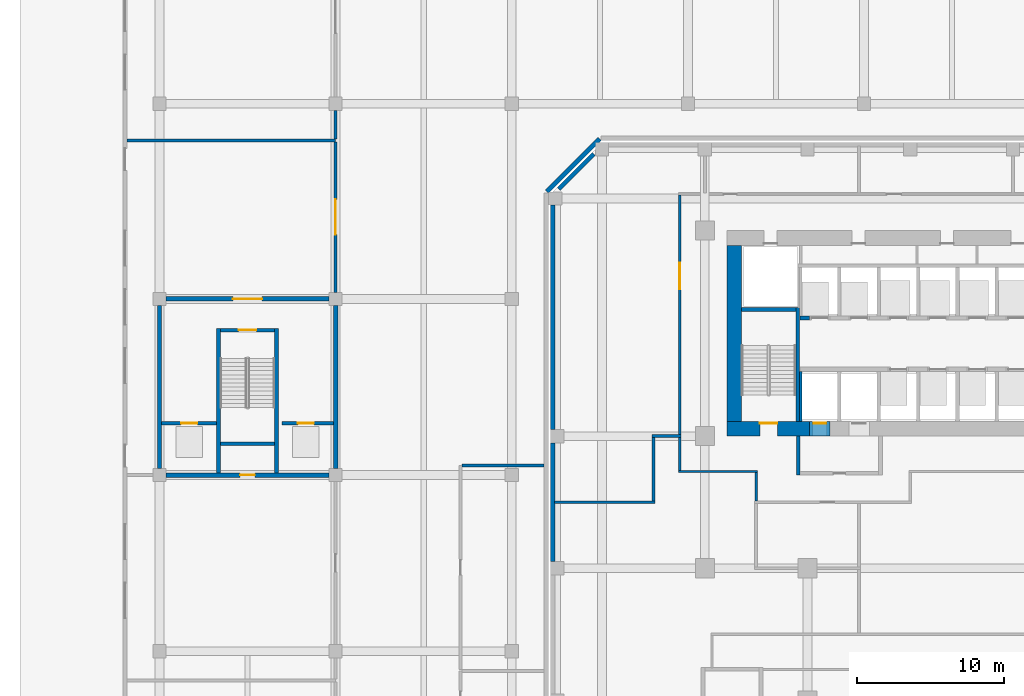
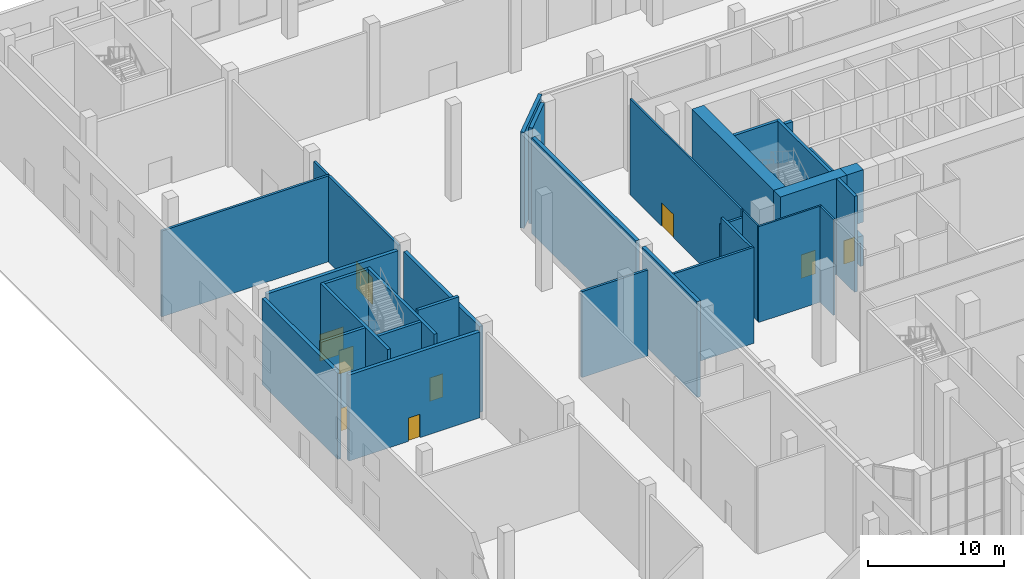
# One storey, part 23 of 43: 34 walls, 9 doors, 9 openings.
"""IFC4 building model written with IfcOpenShell, lengths in metres."""

import ifcopenshell
import ifcopenshell.guid

model = None  # the IFC model being written
_history = None  # IfcOwnerHistory: only IFC2X3 demands one
_inside = {}  # id of a spatial element -> (the spatial element, [elements in it])
_under = {}  # id of a project, library or spatial element -> (it, [spatial elements below it])
_declared = {}  # id of a project -> (the project, [libraries it declares])
_typed = {}  # id of a type object -> (the type object, [elements of that type])
_made_of = {}  # id of a material, layer set ... -> (it, [elements and type objects made of it])


def new_model(schema):
    """Start an empty IFC model of exactly this schema.

    Asked for "IFC4X3", IfcOpenShell would pick the latest addendum, in which some entities
    have other attributes; the version numbers below select the first issue.
    IFC2X3 requires an IfcOwnerHistory on every rooted entity: one is made here for all.
    """
    global model, _history
    if schema == "IFC4X3":
        model = ifcopenshell.file(schema_version=(4, 3, 0, 0))
    else:
        model = ifcopenshell.file(schema=schema)
    _inside.clear()
    _under.clear()
    _declared.clear()
    _typed.clear()
    _made_of.clear()
    _history = None
    if model.schema == "IFC2X3":
        org = make("IfcOrganization", Name="unknown")
        user = make(
            "IfcPersonAndOrganization",
            ThePerson=make("IfcPerson", FamilyName="unknown"),
            TheOrganization=org,
        )
        app = make(
            "IfcApplication",
            ApplicationDeveloper=org,
            Version="unknown",
            ApplicationFullName="unknown",
            ApplicationIdentifier="unknown",
        )
        _history = make(
            "IfcOwnerHistory",
            OwningUser=user,
            OwningApplication=app,
            ChangeAction="ADDED",
            CreationDate=0,
        )
    return model


def make(cls, **values):
    """One entity of the class cls with the attributes given. An attribute that is None is left unset."""
    return model.create_entity(
        cls, **{name: value for name, value in values.items() if value is not None}
    )


def rooted(cls, **values):
    """An entity with a GlobalId (a new one), such as an element, a storey or a relation."""
    return make(cls, GlobalId=ifcopenshell.guid.new(), OwnerHistory=_history, **values)


def si_unit(unit_type, name, prefix=None):
    """IfcSIUnit, for example si_unit("LENGTHUNIT", "METRE", prefix="MILLI")."""
    return make("IfcSIUnit", UnitType=unit_type, Prefix=prefix, Name=name)


def assignment(units):
    """IfcUnitAssignment: the units of a project."""
    return None if units is None else make("IfcUnitAssignment", Units=units)


def point(xyz):
    """IfcCartesianPoint."""
    return None if xyz is None else make("IfcCartesianPoint", Coordinates=xyz)


def direction(xyz):
    """IfcDirection."""
    return None if xyz is None else make("IfcDirection", DirectionRatios=xyz)


def frame(location, z_axis=None, x_axis=None):
    """IfcAxis2Placement3D, a coordinate frame: its origin and axes. An axis left out is left unset."""
    return make(
        "IfcAxis2Placement3D",
        Location=point(location),
        Axis=direction(z_axis),
        RefDirection=direction(x_axis),
    )


def frame_2d(location, x_axis=None):
    """IfcAxis2Placement2D, a coordinate frame in the plane: its origin and x axis."""
    return make(
        "IfcAxis2Placement2D", Location=point(location), RefDirection=direction(x_axis)
    )


def origin():
    """The frame at (0, 0, 0) with its axes left unset."""
    return frame((0.0, 0.0, 0.0))


def place(relative_to, where):
    """IfcLocalPlacement: puts the frame where relative to a parent placement (None: the world)."""
    return make(
        "IfcLocalPlacement", PlacementRelTo=relative_to, RelativePlacement=where
    )


def context(
    kind, dimensions, precision=None, world=None, true_north=None, identifier=None
):
    """IfcGeometricRepresentationContext, for example the 3D "Model" context."""
    return make(
        "IfcGeometricRepresentationContext",
        ContextIdentifier=identifier,
        ContextType=kind,
        CoordinateSpaceDimension=dimensions,
        Precision=precision,
        WorldCoordinateSystem=world,
        TrueNorth=true_north,
    )


def subcontext(parent, identifier, kind, view, scale=None):
    """IfcGeometricRepresentationSubContext, for example "Body" below "Model"."""
    return make(
        "IfcGeometricRepresentationSubContext",
        ContextIdentifier=identifier,
        ContextType=kind,
        ParentContext=parent,
        TargetScale=scale,
        TargetView=view,
    )


def project(units=None, contexts=None):
    """IfcProject with its units and contexts."""
    return rooted(
        "IfcProject",
        Name="project",
        RepresentationContexts=contexts,
        UnitsInContext=assignment(units),
    )


def spatial(cls, under=None, at=None, **own):
    """A site, building, storey or space (cls), placed at a placement, below another one or the project."""
    s = rooted(cls, ObjectPlacement=at, **own)
    if under is not None:
        _under.setdefault(under.id(), (under, []))[1].append(s)
    return s


def profile(cls, at=None, kind="AREA", **sizes):
    """A parametric profile (cls). Its sizes go by their IFC names, for example OverallWidth=200.0."""
    return make(cls, ProfileType=kind, Position=at, **sizes)


def rectangle(**sizes):
    """IfcRectangleProfileDef."""
    return profile("IfcRectangleProfileDef", **sizes)


def extrude(swept, where, along, depth):
    """IfcExtrudedAreaSolid: the profile swept, set in the frame where, extruded along a direction by depth."""
    return make(
        "IfcExtrudedAreaSolid",
        SweptArea=swept,
        Position=where,
        ExtrudedDirection=direction(along),
        Depth=depth,
    )


def shape(context_of_items, identifier, shape_type, items):
    """IfcShapeRepresentation: the items that make up one representation, for example the "Body"."""
    return make(
        "IfcShapeRepresentation",
        ContextOfItems=context_of_items,
        RepresentationIdentifier=identifier,
        RepresentationType=shape_type,
        Items=items,
    )


def source(mapping_origin, context_of_items, identifier, shape_type, items):
    """IfcRepresentationMap: a shape defined once, which mapped items show again and again."""
    return make(
        "IfcRepresentationMap",
        MappingOrigin=mapping_origin,
        MappedRepresentation=shape(context_of_items, identifier, shape_type, items),
    )


def transform(
    local_origin,
    x_axis=None,
    y_axis=None,
    z_axis=None,
    scale=None,
    scale2=None,
    scale3=None,
    uniform=True,
):
    """IfcCartesianTransformationOperator3D, or its non-uniform kind. x_axis, y_axis, z_axis: its Axis1, 2, 3."""
    if uniform:
        return make(
            "IfcCartesianTransformationOperator3D",
            Axis1=direction(x_axis),
            Axis2=direction(y_axis),
            LocalOrigin=point(local_origin),
            Scale=scale,
            Axis3=direction(z_axis),
        )
    return make(
        "IfcCartesianTransformationOperator3DnonUniform",
        Axis1=direction(x_axis),
        Axis2=direction(y_axis),
        LocalOrigin=point(local_origin),
        Scale=scale,
        Axis3=direction(z_axis),
        Scale2=scale2,
        Scale3=scale3,
    )


def mapped(mapping_source, mapping_target):
    """IfcMappedItem: shows the shape of a source again, moved by a transform."""
    return make(
        "IfcMappedItem", MappingSource=mapping_source, MappingTarget=mapping_target
    )


def material(Name=None, Category=None):
    """IfcMaterial."""
    return make("IfcMaterial", Name=Name, Category=Category)


def layer(
    of_material, thickness, ventilated=None, Name=None, Category=None, Priority=None
):
    """IfcMaterialLayer: one layer of a wall or slab, of a material (None: an air gap)."""
    return make(
        "IfcMaterialLayer",
        Material=of_material,
        LayerThickness=thickness,
        IsVentilated=ventilated,
        Name=Name,
        Category=Category,
        Priority=Priority,
    )


def layer_set(layers, Name=None):
    """IfcMaterialLayerSet."""
    return make("IfcMaterialLayerSet", MaterialLayers=layers, LayerSetName=Name)


def made_of(thing, what):
    """Note that an element or type object is made of a material, layer set ...; save() writes the relation."""
    if what is not None:
        _made_of.setdefault(what.id(), (what, []))[1].append(thing)
    return thing


def type_object(cls, material=None, **own):
    """A type object (cls), such as IfcWallType, which elements share."""
    return made_of(rooted(cls, **own), material)


def element(
    cls,
    number,
    at=None,
    inside=None,
    cuts=None,
    type_object=None,
    material=None,
    context=None,
    identifier="Body",
    shape_type=None,
    held_by="IfcProductDefinitionShape",
    body=None,
    shapes=None,
    **own,
):
    """One element of the class cls, such as IfcWall. Its Tag is "e" and its number.

    at: its placement. inside: the storey or other place that contains it. cuts: it is an
    opening in that element (IfcRelVoidsElement). A single representation is given by context,
    identifier, shape_type and body (its items); several are given by shapes. held_by: the class
    of the entity that holds the representations. save() writes the other relations.
    """
    e = rooted(cls, Tag="e%d" % number, ObjectPlacement=at, **own)
    if body is not None:
        shapes = [shape(context, identifier, shape_type, body)]
    if shapes is not None:
        e.Representation = make(held_by, Representations=shapes)
    if inside is not None:
        _inside.setdefault(inside.id(), (inside, []))[1].append(e)
    if cuts is not None:
        rooted(
            "IfcRelVoidsElement", RelatingBuildingElement=cuts, RelatedOpeningElement=e
        )
    if type_object is not None:
        _typed.setdefault(type_object.id(), (type_object, []))[1].append(e)
    return made_of(e, material)


def fill(opening, filler):
    """IfcRelFillsElement: the door or window that sits in an opening."""
    return rooted(
        "IfcRelFillsElement",
        RelatingOpeningElement=opening,
        RelatedBuildingElement=filler,
    )


def aggregate(whole, parts):
    """IfcRelAggregates: a whole, such as a stair, and the parts it consists of."""
    return rooted("IfcRelAggregates", RelatingObject=whole, RelatedObjects=parts)


def save(model, path):
    """Write the relations noted so far, then the file.

    IfcRelAggregates (storeys below a building ...), IfcRelContainedInSpatialStructure (elements
    in a storey), IfcRelDefinesByType, IfcRelAssociatesMaterial and IfcRelDeclares: one each for
    every whole, place, type object, material and project.
    """
    for whole, parts in _under.values():
        aggregate(whole, parts)
    for where, things in _inside.values():
        rooted(
            "IfcRelContainedInSpatialStructure",
            RelatedElements=things,
            RelatingStructure=where,
        )
    for kind, things in _typed.values():
        rooted("IfcRelDefinesByType", RelatedObjects=things, RelatingType=kind)
    for what, things in _made_of.values():
        rooted("IfcRelAssociatesMaterial", RelatedObjects=things, RelatingMaterial=what)
    for by, libraries in _declared.values():
        rooted("IfcRelDeclares", RelatingContext=by, RelatedDefinitions=libraries)
    model.write(path)


model = new_model("IFC4")

# Units and contexts
model_context = context("Model", 3, precision=1e-05, world=origin(), true_north=direction((0.0, 1.0)))
body_context = subcontext(model_context, "Body", "Model", "MODEL_VIEW")
ifc_project = project(units=[si_unit("LENGTHUNIT", "METRE"), si_unit("AREAUNIT", "SQUARE_METRE"), si_unit("VOLUMEUNIT", "CUBIC_METRE"), si_unit("PLANEANGLEUNIT", "RADIAN"), si_unit("MASSUNIT", "GRAM", prefix="KILO")], contexts=[model_context])

# Site, building, storey
site_placement = place(None, origin())
site = spatial("IfcSite", under=ifc_project, at=site_placement, CompositionType="ELEMENT")
building_placement = place(site_placement, origin())
building = spatial("IfcBuilding", under=site, at=building_placement, Name="Kilnfold Tower and Market Hall", CompositionType="ELEMENT")
storey_placement = place(building_placement, origin())
storey = spatial("IfcBuildingStorey", under=building, at=storey_placement, Name="L00", CompositionType="ELEMENT", Elevation=0.0)

# Wall, opening, door
ifc_material_1 = material(Name="Gypsum board on steel studs", Category="steel")
ifc_layer_1 = layer(ifc_material_1, 0.14990234375)
ifc_layer_set_1 = layer_set([ifc_layer_1], Name="Gypsum board on steel studs")
wall_type_1 = type_object("IfcWallType", Name="WALL CORRIDOR 150", PredefinedType="PARTITIONING", material=ifc_layer_set_1)
wall_1_placement = place(storey_placement, frame((-19.199951171875, 8.090087890625, 0.0), z_axis=(0.0, 0.0, 1.0), x_axis=(0.0, 1.0, 0.0)))
wall_1 = element("IfcWall", 1, at=wall_1_placement, inside=storey, type_object=wall_type_1, Name="Partition LY01.23", PredefinedType="PARTITIONING", context=body_context, shape_type="SweptSolid", body=[
    extrude(rectangle(XDim=16.3349609375, YDim=0.14990234375, at=frame_2d((8.16748046875, 0.0))), origin(), (0.0, 0.0, 1.0), 8.60009765625),
])
opening_1_placement = place(wall_1_placement, frame((9.924072265625, 0.0, 0.0)))
opening_1 = element("IfcOpeningElement", 2, at=opening_1_placement, cuts=wall_1, Name="Opening D5", PredefinedType="OPENING", context=body_context, shape_type="SweptSolid", body=[
    extrude(rectangle(XDim=1.800048828125, YDim=2.10009765625, at=frame_2d((0.89990234375, 1.050048828125))), frame((0.0, 0.0849609375, 0.0), z_axis=(0.0, -1.0, 0.0), x_axis=(1.0, 0.0, 0.0)), (0.0, 0.0, 1.0), 0.169921875),
])
ifc_material_2 = material(Name="Timber veneer door leaf in steel frame", Category="steel")
door_type_1 = type_object("IfcDoorType", Name="DOOR DOUBLE 1800 X2100", OperationType="NOTDEFINED", PredefinedType="DOOR", material=ifc_material_2)
door_1_placement = place(opening_1_placement, origin())
door_1 = element("IfcDoor", 3, at=door_1_placement, inside=storey, type_object=door_type_1, Name="Door D5", OperationType="DOUBLE_DOOR_SINGLE_SWING", OverallHeight=2.10009765625, OverallWidth=1.800048828125, PredefinedType="DOOR", context=body_context, shape_type="SweptSolid", body=[
    extrude(rectangle(XDim=1.800048828125, YDim=2.10009765625, at=frame_2d((0.89990234375, 1.050048828125))), frame((0.0, 0.02490234375, 0.0), z_axis=(0.0, -1.0, 0.0), x_axis=(1.0, 0.0, 0.0)), (0.0, 0.0, 1.0), 0.050048828125),
])
fill(opening_1, door_1)

# Walls
wall_2_placement = place(storey_placement, frame((-14.0, 5.52490234375, 0.0), z_axis=(0.0, 0.0, 1.0), x_axis=(0.0, -1.0, 0.0)))
element("IfcWall", 4, at=wall_2_placement, inside=storey, type_object=wall_type_1, Name="Partition LY01.25", PredefinedType="PARTITIONING", context=body_context, shape_type="SweptSolid", body=[
    extrude(rectangle(XDim=1.949951171875, YDim=0.14990234375, at=frame_2d((0.97509765625, 0.0))), origin(), (0.0, 0.0, 1.0), 8.60009765625),
])
wall_3_placement = place(storey_placement, frame((-19.27490234375, 5.60009765625, 0.0), z_axis=(0.0, 0.0, 1.0), x_axis=(1.0, 0.0, 0.0)))
element("IfcWall", 5, at=wall_3_placement, inside=storey, type_object=wall_type_1, Name="Partition LY01.26", PredefinedType="PARTITIONING", context=body_context, shape_type="SweptSolid", body=[
    extrude(rectangle(XDim=5.349853515625, YDim=0.14990234375, at=frame_2d((2.6748046875, 0.0))), origin(), (0.0, 0.0, 1.0), 8.60009765625),
])
wall_4_placement = place(storey_placement, frame((-19.199951171875, 5.675048828125, 0.0), z_axis=(0.0, 0.0, 1.0), x_axis=(0.0, 1.0, 0.0)))
element("IfcWall", 6, at=wall_4_placement, inside=storey, type_object=wall_type_1, Name="Partition LY01.27", PredefinedType="PARTITIONING", context=body_context, shape_type="SweptSolid", body=[
    extrude(rectangle(XDim=2.23486328125, YDim=0.14990234375, at=frame_2d((1.117431640625, 0.0))), origin(), (0.0, 0.0, 1.0), 8.60009765625),
])
ifc_material_3 = material(Name="Gypsum board on steel studs", Category="steel")
ifc_layer_2 = layer(ifc_material_3, 0.199951171875)
ifc_layer_set_2 = layer_set([ifc_layer_2], Name="Gypsum board on steel studs")
wall_type_2 = type_object("IfcWallType", Name="WALL PARTY 200", PredefinedType="PARTITIONING", material=ifc_layer_set_2)
wall_5_placement = place(storey_placement, frame((-21.10009765625, 8.0, 0.0), z_axis=(0.0, 0.0, 1.0), x_axis=(1.0, 0.0, 0.0)))
element("IfcWall", 7, at=wall_5_placement, inside=storey, type_object=wall_type_2, Name="Partition LY01.37", PredefinedType="PARTITIONING", context=body_context, shape_type="SweptSolid", body=[
    extrude(rectangle(XDim=1.97412109375, YDim=0.199951171875, at=frame_2d((0.987060546875, 0.0))), origin(), (0.0, 0.0, 1.0), 7.949951171875),
])
wall_6_placement = place(storey_placement, frame((-21.0, 3.60009765625, 0.0), z_axis=(0.0, 0.0, 1.0), x_axis=(0.0, 1.0, 0.0)))
element("IfcWall", 8, at=wall_6_placement, inside=storey, type_object=wall_type_2, Name="Partition LY01.38", PredefinedType="PARTITIONING", context=body_context, shape_type="SweptSolid", body=[
    extrude(rectangle(XDim=4.2998046875, YDim=0.199951171875, at=frame_2d((2.14990234375, 0.0))), origin(), (0.0, 0.0, 1.0), 8.60009765625),
])
wall_7_placement = place(storey_placement, frame((-27.75, 3.5, 0.0), z_axis=(0.0, 0.0, 1.0), x_axis=(1.0, 0.0, 0.0)))
element("IfcWall", 9, at=wall_7_placement, inside=storey, type_object=wall_type_2, Name="Partition LY01.39", PredefinedType="PARTITIONING", context=body_context, shape_type="SweptSolid", body=[
    extrude(rectangle(XDim=6.85009765625, YDim=0.199951171875, at=frame_2d((3.425048828125, 0.0))), origin(), (0.0, 0.0, 1.0), 8.60009765625),
])

# Wall, opening, door
ifc_material_4 = material(Name="Concrete C80", Category="concrete")
ifc_layer_3 = layer(ifc_material_4, 1.0)
ifc_layer_set_3 = layer_set([ifc_layer_3], Name="Concrete C80")
wall_type_3 = type_object("IfcWallType", Name="CORE WALL 1000 C80", PredefinedType="SHEAR", material=ifc_layer_set_3)
shared_shape_1 = source(origin(), body_context, "Body", "SweptSolid", [
    extrude(rectangle(XDim=5.6298828125, YDim=1.0, at=frame_2d((2.81494140625, 0.0))), origin(), (0.0, 0.0, 1.0), 8.60009765625),
])
wall_8_placement = place(storey_placement, frame((-16.0, 8.5, 0.0), z_axis=(0.0, 0.0, 1.0), x_axis=(1.0, 0.0, 0.0)))
wall_8 = element("IfcWall", 10, at=wall_8_placement, inside=storey, type_object=wall_type_3, Name="Core outer wall south", PredefinedType="SHEAR", context=body_context, shape_type="MappedRepresentation", body=[
    mapped(shared_shape_1, transform((0.0, 0.0, 0.0))),
])
opening_2_placement = place(wall_8_placement, frame((2.25, 0.0, 0.0)))
opening_2 = element("IfcOpeningElement", 11, at=opening_2_placement, cuts=wall_8, Name="Opening SD1", PredefinedType="OPENING", context=body_context, shape_type="SweptSolid", body=[
    extrude(rectangle(XDim=1.199951171875, YDim=2.10009765625, at=frame_2d((0.60009765625, 1.050048828125))), frame((0.0, 0.510009765625, 0.0), z_axis=(0.0, -1.0, 0.0), x_axis=(1.0, 0.0, 0.0)), (0.0, 0.0, 1.0), 1.02001953125),
])
ifc_material_5 = material(Name="Steel door set with fire-resisting leaf", Category="steel")
door_type_2 = type_object("IfcDoorType", Name="STAIR FLOOR DOOR 1200X2100", OperationType="NOTDEFINED", PredefinedType="DOOR", material=ifc_material_5)
door_2_placement = place(opening_2_placement, origin())
door_2 = element("IfcDoor", 12, at=door_2_placement, inside=storey, type_object=door_type_2, Name="Exit stair ST1 door", OperationType="DOUBLE_DOOR_SINGLE_SWING", OverallHeight=2.10009765625, OverallWidth=1.199951171875, PredefinedType="DOOR", context=body_context, shape_type="SweptSolid", body=[
    extrude(rectangle(XDim=1.199951171875, YDim=2.10009765625, at=frame_2d((0.60009765625, 1.050048828125))), frame((0.0, 0.40478515625, 0.0), z_axis=(0.0, -1.0, 0.0), x_axis=(1.0, 0.0, 0.0)), (0.0, 0.0, 1.0), 0.050048828125),
])
fill(opening_2, door_2)

# Walls
shared_shape_2 = source(origin(), body_context, "Body", "SweptSolid", [
    extrude(rectangle(XDim=12.0, YDim=1.0, at=frame_2d((6.0, 0.0))), origin(), (0.0, 0.0, 1.0), 8.60009765625),
])
wall_9_placement = place(storey_placement, frame((-15.5, 9.0, 0.0), z_axis=(0.0, 0.0, 1.0), x_axis=(0.0, 1.0, 0.0)))
element("IfcWall", 13, at=wall_9_placement, inside=storey, type_object=wall_type_3, Name="Core outer wall west", PredefinedType="SHEAR", context=body_context, shape_type="MappedRepresentation", body=[
    mapped(shared_shape_2, transform((0.0, 0.0, 0.0))),
])
ifc_material_6 = material(Name="Concrete C80", Category="concrete")
ifc_layer_4 = layer(ifc_material_6, 0.25)
ifc_layer_set_4 = layer_set([ifc_layer_4], Name="Concrete C80")
wall_type_4 = type_object("IfcWallType", Name="CORE WALL 250 C80", PredefinedType="SHEAR", material=ifc_layer_set_4)
shared_shape_3 = source(origin(), body_context, "Body", "SweptSolid", [
    extrude(rectangle(XDim=7.75, YDim=0.25, at=frame_2d((3.875, 0.0))), origin(), (0.0, 0.0, 1.0), 8.60009765625),
])
wall_10_placement = place(storey_placement, frame((-11.175048828125, 9.0, 0.0), z_axis=(0.0, 0.0, 1.0), x_axis=(0.0, 1.0, 0.0)))
element("IfcWall", 14, at=wall_10_placement, inside=storey, type_object=wall_type_4, Name="Stair enclosure ST1", PredefinedType="SHEAR", context=body_context, shape_type="MappedRepresentation", body=[
    mapped(shared_shape_3, transform((0.0, 0.0, 0.0))),
])
shared_shape_4 = source(origin(), body_context, "Body", "SweptSolid", [
    extrude(rectangle(XDim=3.699951171875, YDim=0.25, at=frame_2d((1.85009765625, 0.0))), origin(), (0.0, 0.0, 1.0), 8.60009765625),
])
wall_11_placement = place(storey_placement, frame((-15.0, 16.625, 0.0), z_axis=(0.0, 0.0, 1.0), x_axis=(1.0, 0.0, 0.0)))
element("IfcWall", 15, at=wall_11_placement, inside=storey, type_object=wall_type_4, Name="Stair enclosure ST1", PredefinedType="SHEAR", context=body_context, shape_type="MappedRepresentation", body=[
    mapped(shared_shape_4, transform((0.0, 0.0, 0.0))),
])
ifc_material_7 = material(Name="Concrete C50/60", Category="concrete")
ifc_layer_5 = layer(ifc_material_7, 0.25)
ifc_layer_set_5 = layer_set([ifc_layer_5], Name="Concrete C50/60")
wall_type_5 = type_object("IfcWallType", Name="HALL CORE WALL 250", PredefinedType="SHEAR", material=ifc_layer_set_5)
wall_12_placement = place(storey_placement, frame((-50.5, 7.47509765625, 0.0), z_axis=(0.0, 0.0, 1.0), x_axis=(1.0, 0.0, 0.0)))
element("IfcWall", 16, at=wall_12_placement, inside=storey, type_object=wall_type_5, Name="Core wall MH1", PredefinedType="SHEAR", context=body_context, shape_type="MappedRepresentation", body=[
    mapped(shared_shape_4, transform((0.0, 0.0, 0.0))),
])

# Wall, opening, door
wall_13_placement = place(storey_placement, frame((-50.5, 15.22509765625, 0.0), z_axis=(0.0, 0.0, 1.0), x_axis=(1.0, 0.0, 0.0)))
wall_13 = element("IfcWall", 17, at=wall_13_placement, inside=storey, type_object=wall_type_5, Name="Core wall MH1", PredefinedType="SHEAR", context=body_context, shape_type="MappedRepresentation", body=[
    mapped(shared_shape_4, transform((0.0, 0.0, 0.0))),
])
opening_3_placement = place(wall_13_placement, frame((1.25, 0.0, 0.0)))
opening_3 = element("IfcOpeningElement", 18, at=opening_3_placement, cuts=wall_13, Name="Opening MD9-60", PredefinedType="OPENING", context=body_context, shape_type="SweptSolid", body=[
    extrude(rectangle(XDim=1.199951171875, YDim=2.10009765625, at=frame_2d((0.60009765625, 1.050048828125))), frame((0.0, 0.135009765625, 0.0), z_axis=(0.0, -1.0, 0.0), x_axis=(1.0, 0.0, 0.0)), (0.0, 0.0, 1.0), 0.27001953125),
])
ifc_material_8 = material(Name="Steel S355", Category="steel")
door_type_3 = type_object("IfcDoorType", Name="HALL DOOR STAIR 1200X2100 FD60", OperationType="NOTDEFINED", PredefinedType="DOOR", material=ifc_material_8)
door_3_placement = place(opening_3_placement, origin())
door_3 = element("IfcDoor", 19, at=door_3_placement, inside=storey, type_object=door_type_3, Name="Door MD9-60", OperationType="DOUBLE_DOOR_SINGLE_SWING", OverallHeight=2.10009765625, OverallWidth=1.199951171875, PredefinedType="DOOR", context=body_context, shape_type="SweptSolid", body=[
    extrude(rectangle(XDim=1.199951171875, YDim=2.10009765625, at=frame_2d((0.60009765625, 1.050048828125))), frame((0.0, 0.02490234375, 0.0), z_axis=(0.0, -1.0, 0.0), x_axis=(1.0, 0.0, 0.0)), (0.0, 0.0, 1.0), 0.050048828125),
])
fill(opening_3, door_3)

# Walls
ifc_material_9 = material(Name="Concrete C80", Category="concrete")
ifc_layer_6 = layer(ifc_material_9, 0.300048828125)
ifc_layer_set_6 = layer_set([ifc_layer_6], Name="Concrete C80")
wall_type_6 = type_object("IfcWallType", Name="CORE WALL 300 C80", PredefinedType="SHEAR", material=ifc_layer_set_6)
shared_shape_5 = source(origin(), body_context, "Body", "SweptSolid", [
    extrude(rectangle(XDim=0.639892578125, YDim=0.300048828125, at=frame_2d((0.31982421875, 0.0))), origin(), (0.0, 0.0, 1.0), 8.60009765625),
])
wall_14_placement = place(storey_placement, frame((-11.010009765625, 16.050048828125, 0.0), z_axis=(0.0, 0.0, 1.0), x_axis=(1.0, 0.0, 0.0)))
element("IfcWall", 20, at=wall_14_placement, inside=storey, type_object=wall_type_6, Name="Core spine wall", PredefinedType="SHEAR", context=body_context, shape_type="MappedRepresentation", body=[
    mapped(shared_shape_5, transform((0.0, 0.0, 0.0))),
])
shared_shape_6 = source(origin(), body_context, "Body", "SweptSolid", [
    extrude(rectangle(XDim=1.400146484375, YDim=1.0, at=frame_2d((0.7001953125, 0.0))), origin(), (0.0, 0.0, 1.0), 4.7001953125),
])
wall_15_placement = place(storey_placement, frame((-10.3701171875, 8.5, 3.89990234375), z_axis=(0.0, 0.0, 1.0), x_axis=(1.0, 0.0, 0.0)))
element("IfcWall", 21, at=wall_15_placement, inside=storey, type_object=wall_type_3, Name="Core wall over opening", PredefinedType="SHEAR", context=body_context, shape_type="MappedRepresentation", body=[
    mapped(shared_shape_6, transform((0.0, 0.0, 0.0))),
])

# Wall, opening, door
ifc_material_10 = material(Name="Concrete C50/60", Category="concrete")
ifc_layer_7 = layer(ifc_material_10, 0.300048828125)
ifc_layer_set_7 = layer_set([ifc_layer_7], Name="Concrete C50/60")
wall_type_7 = type_object("IfcWallType", Name="HALL CORE WALL 300", PredefinedType="SHEAR", material=ifc_layer_set_7)
shared_shape_7 = source(origin(), body_context, "Body", "SweptSolid", [
    extrude(rectangle(XDim=11.099853515625, YDim=0.300048828125, at=frame_2d((5.5498046875, 0.0))), origin(), (0.0, 0.0, 1.0), 7.699951171875),
])
wall_16_placement = place(storey_placement, frame((-54.199951171875, 5.35009765625, 0.0), z_axis=(0.0, 0.0, 1.0), x_axis=(1.0, 0.0, 0.0)))
wall_16 = element("IfcWall", 22, at=wall_16_placement, inside=storey, type_object=wall_type_7, Name="Core wall MH1", PredefinedType="SHEAR", context=body_context, shape_type="MappedRepresentation", body=[
    mapped(shared_shape_7, transform((0.0, 0.0, 0.0))),
])
opening_4_placement = place(wall_16_placement, frame((5.050048828125, 0.0, 0.0)))
opening_4 = element("IfcOpeningElement", 23, at=opening_4_placement, cuts=wall_16, Name="Opening MD4-60", PredefinedType="OPENING", context=body_context, shape_type="SweptSolid", body=[
    extrude(rectangle(XDim=1.0, YDim=2.10009765625, at=frame_2d((0.5, 1.050048828125))), frame((0.0, 0.16015625, 0.0), z_axis=(0.0, -1.0, 0.0), x_axis=(1.0, 0.0, 0.0)), (0.0, 0.0, 1.0), 0.320068359375),
])
ifc_material_11 = material(Name="Steel S355", Category="steel")
door_type_4 = type_object("IfcDoorType", Name="HALL DOOR RISER 1000X2100 FD60", OperationType="NOTDEFINED", PredefinedType="DOOR", material=ifc_material_11)
door_4_placement = place(opening_4_placement, origin())
door_4 = element("IfcDoor", 24, at=door_4_placement, inside=storey, type_object=door_type_4, Name="Door MD4-60", OperationType="SINGLE_SWING_LEFT", OverallHeight=2.10009765625, OverallWidth=1.0, PredefinedType="DOOR", context=body_context, shape_type="SweptSolid", body=[
    extrude(rectangle(XDim=1.0, YDim=2.10009765625, at=frame_2d((0.5, 1.050048828125))), frame((0.0, 0.02490234375, 0.0), z_axis=(0.0, -1.0, 0.0), x_axis=(1.0, 0.0, 0.0)), (0.0, 0.0, 1.0), 0.050048828125),
])
fill(opening_4, door_4)

wall_17_placement = place(storey_placement, frame((-54.199951171875, 17.35009765625, 0.0), z_axis=(0.0, 0.0, 1.0), x_axis=(1.0, 0.0, 0.0)))
wall_17 = element("IfcWall", 25, at=wall_17_placement, inside=storey, type_object=wall_type_7, Name="Core wall MH1", PredefinedType="SHEAR", context=body_context, shape_type="MappedRepresentation", body=[
    mapped(shared_shape_7, transform((0.0, 0.0, 0.0))),
])
opening_5_placement = place(wall_17_placement, frame((4.550048828125, 0.0, 0.0)))
opening_5 = element("IfcOpeningElement", 26, at=opening_5_placement, cuts=wall_17, Name="Opening MD10-60", PredefinedType="OPENING", context=body_context, shape_type="SweptSolid", body=[
    extrude(rectangle(XDim=2.0, YDim=2.39990234375, at=frame_2d((1.0, 1.199951171875))), frame((0.0, 0.16015625, 0.0), z_axis=(0.0, -1.0, 0.0), x_axis=(1.0, 0.0, 0.0)), (0.0, 0.0, 1.0), 0.320068359375),
])
ifc_material_12 = material(Name="Aluminium glazing", Category="aluminium")
door_type_5 = type_object("IfcDoorType", Name="HALL DOOR LOBBY 2000X2400 FD60", OperationType="NOTDEFINED", PredefinedType="DOOR", material=ifc_material_12)
door_5_placement = place(opening_5_placement, origin())
door_5 = element("IfcDoor", 27, at=door_5_placement, inside=storey, type_object=door_type_5, Name="Door MD10-60", OperationType="DOUBLE_DOOR_SINGLE_SWING", OverallHeight=2.39990234375, OverallWidth=2.0, PredefinedType="DOOR", context=body_context, shape_type="SweptSolid", body=[
    extrude(rectangle(XDim=2.0, YDim=2.39990234375, at=frame_2d((1.0, 1.199951171875))), frame((0.0, 0.02490234375, 0.0), z_axis=(0.0, -1.0, 0.0), x_axis=(1.0, 0.0, 0.0)), (0.0, 0.0, 1.0), 0.050048828125),
])
fill(opening_5, door_5)

# Walls
for number, where, z_axis, x_axis, name in (
    (28, (-54.64990234375, 5.800048828125, 0.0), (0.0, 0.0, 1.0), (0.0, 1.0, 0.0), "Core wall MH1"),
    (29, (-42.64990234375, 5.800048828125, 0.0), (0.0, 0.0, 1.0), (0.0, 1.0, 0.0), "Core wall MH1"),
):
    element("IfcWall", number, at=place(storey_placement, frame(where, z_axis=z_axis, x_axis=x_axis)), inside=storey, type_object=wall_type_7, Name=name, PredefinedType="SHEAR", context=body_context, shape_type="MappedRepresentation", body=[
        mapped(shared_shape_7, transform((0.0, 0.0, 0.0))),
    ])
shared_shape_8 = source(origin(), body_context, "Body", "SweptSolid", [
    extrude(rectangle(XDim=9.85009765625, YDim=0.25, at=frame_2d((4.925048828125, 0.0))), origin(), (0.0, 0.0, 1.0), 8.60009765625),
])
for number, where, z_axis, x_axis, name in (
    (30, (-50.625, 5.5, 0.0), (0.0, 0.0, 1.0), (0.0, 1.0, 0.0), "Core wall MH1"),
    (31, (-46.675048828125, 5.5, 0.0), (0.0, 0.0, 1.0), (0.0, 1.0, 0.0), "Core wall MH1"),
):
    element("IfcWall", number, at=place(storey_placement, frame(where, z_axis=z_axis, x_axis=x_axis)), inside=storey, type_object=wall_type_5, Name=name, PredefinedType="SHEAR", context=body_context, shape_type="MappedRepresentation", body=[
        mapped(shared_shape_8, transform((0.0, 0.0, 0.0))),
    ])

# Wall, opening, door
shared_shape_9 = source(origin(), body_context, "Body", "SweptSolid", [
    extrude(rectangle(XDim=3.75, YDim=0.25, at=frame_2d((1.875, 0.0))), origin(), (0.0, 0.0, 1.0), 8.60009765625),
])
wall_18_placement = place(storey_placement, frame((-54.5, 8.875, 0.0), z_axis=(0.0, 0.0, 1.0), x_axis=(1.0, 0.0, 0.0)))
wall_18 = element("IfcWall", 32, at=wall_18_placement, inside=storey, type_object=wall_type_5, Name="Core wall MH1", PredefinedType="SHEAR", context=body_context, shape_type="MappedRepresentation", body=[
    mapped(shared_shape_9, transform((0.0, 0.0, 0.0))),
])
opening_6_placement = place(wall_18_placement, frame((1.324951171875, 0.0, 0.0)))
opening_6 = element("IfcOpeningElement", 33, at=opening_6_placement, cuts=wall_18, Name="Opening LD", PredefinedType="OPENING", context=body_context, shape_type="SweptSolid", body=[
    extrude(rectangle(XDim=1.10009765625, YDim=2.10009765625, at=frame_2d((0.550048828125, 1.050048828125))), frame((0.0, 0.135009765625, 0.0), z_axis=(0.0, -1.0, 0.0), x_axis=(1.0, 0.0, 0.0)), (0.0, 0.0, 1.0), 0.27001953125),
])
ifc_material_13 = material(Name="Steel S355", Category="steel")
door_type_6 = type_object("IfcDoorType", Name="HALL LANDING DOOR 1100X2100 FD60", OperationType="NOTDEFINED", PredefinedType="DOOR", material=ifc_material_13)
door_6_placement = place(opening_6_placement, origin())
door_6 = element("IfcDoor", 34, at=door_6_placement, inside=storey, type_object=door_type_6, Name="Door LD", OperationType="SLIDING_TO_LEFT", OverallHeight=2.10009765625, OverallWidth=1.10009765625, PredefinedType="DOOR", context=body_context, shape_type="SweptSolid", body=[
    extrude(rectangle(XDim=1.10009765625, YDim=2.10009765625, at=frame_2d((0.550048828125, 1.050048828125))), frame((0.0, 0.02490234375, 0.0), z_axis=(0.0, -1.0, 0.0), x_axis=(1.0, 0.0, 0.0)), (0.0, 0.0, 1.0), 0.050048828125),
])
fill(opening_6, door_6)

shared_shape_10 = source(origin(), body_context, "Body", "SweptSolid", [
    extrude(rectangle(XDim=3.5, YDim=0.25, at=frame_2d((1.75, 0.0))), origin(), (0.0, 0.0, 1.0), 8.60009765625),
])
wall_19_placement = place(storey_placement, frame((-46.300048828125, 8.875, 0.0), z_axis=(0.0, 0.0, 1.0), x_axis=(1.0, 0.0, 0.0)))
wall_19 = element("IfcWall", 35, at=wall_19_placement, inside=storey, type_object=wall_type_5, Name="Core wall MH1", PredefinedType="SHEAR", context=body_context, shape_type="MappedRepresentation", body=[
    mapped(shared_shape_10, transform((0.0, 0.0, 0.0))),
])
opening_7_placement = place(wall_19_placement, frame((1.074951171875, 0.0, 0.0)))
opening_7 = element("IfcOpeningElement", 36, at=opening_7_placement, cuts=wall_19, Name="Opening LD", PredefinedType="OPENING", context=body_context, shape_type="SweptSolid", body=[
    extrude(rectangle(XDim=1.10009765625, YDim=2.10009765625, at=frame_2d((0.550048828125, 1.050048828125))), frame((0.0, 0.135009765625, 0.0), z_axis=(0.0, -1.0, 0.0), x_axis=(1.0, 0.0, 0.0)), (0.0, 0.0, 1.0), 0.27001953125),
])
door_7_placement = place(opening_7_placement, origin())
door_7 = element("IfcDoor", 37, at=door_7_placement, inside=storey, type_object=door_type_6, Name="Door LD", OperationType="SLIDING_TO_LEFT", OverallHeight=2.10009765625, OverallWidth=1.10009765625, PredefinedType="DOOR", context=body_context, shape_type="SweptSolid", body=[
    extrude(rectangle(XDim=1.10009765625, YDim=2.10009765625, at=frame_2d((0.550048828125, 1.050048828125))), frame((0.0, 0.02490234375, 0.0), z_axis=(0.0, -1.0, 0.0), x_axis=(1.0, 0.0, 0.0)), (0.0, 0.0, 1.0), 0.050048828125),
])
fill(opening_7, door_7)

# Walls
ifc_material_14 = material(Name="Precast concrete C50/60", Category="concrete")
ifc_layer_8 = layer(ifc_material_14, 0.300048828125)
ifc_layer_set_8 = layer_set([ifc_layer_8], Name="Precast concrete C50/60")
wall_type_8 = type_object("IfcWallType", Name="PRECAST WALL 300", PredefinedType="SOLIDWALL", material=ifc_layer_set_8)
shared_shape_11 = source(origin(), body_context, "Body", "SweptSolid", [
    extrude(rectangle(XDim=3.35888671875, YDim=0.300048828125, at=frame_2d((1.679443359375, 0.0))), origin(), (0.0, 0.0, 1.0), 8.60009765625),
])
wall_20_placement = place(storey_placement, frame((-25.06884765625, 27.218994140625, 0.0), z_axis=(0.0, 0.0, 1.0), x_axis=(-0.707143122278, -0.707070438228, 0.0)))
element("IfcWall", 38, at=wall_20_placement, inside=storey, type_object=wall_type_8, Name="Party wall L00 NW", PredefinedType="SOLIDWALL", context=body_context, shape_type="MappedRepresentation", body=[
    mapped(shared_shape_11, transform((0.0, 0.0, 0.0))),
])
shared_shape_12 = source(origin(), body_context, "Body", "SweptSolid", [
    extrude(rectangle(XDim=15.28173828125, YDim=0.300048828125, at=frame_2d((7.640869140625, 0.0))), origin(), (0.0, 0.0, 1.0), 8.60009765625),
])
wall_21_placement = place(storey_placement, frame((-27.85009765625, 23.731689453125, 0.0), z_axis=(0.0, 0.0, 1.0), x_axis=(0.0, -1.0, 0.0)))
element("IfcWall", 39, at=wall_21_placement, inside=storey, type_object=wall_type_8, Name="Party wall L00 W", PredefinedType="SOLIDWALL", context=body_context, shape_type="MappedRepresentation", body=[
    mapped(shared_shape_12, transform((0.0, 0.0, 0.0))),
])
shared_shape_13 = source(origin(), body_context, "Body", "SweptSolid", [
    extrude(rectangle(XDim=8.10009765625, YDim=0.300048828125, at=frame_2d((4.050048828125, 0.0))), origin(), (0.0, 0.0, 1.0), 8.60009765625),
])
wall_22_placement = place(storey_placement, frame((-27.85009765625, 7.550048828125, 0.0), z_axis=(0.0, 0.0, 1.0), x_axis=(0.0, -1.0, 0.0)))
element("IfcWall", 40, at=wall_22_placement, inside=storey, type_object=wall_type_8, Name="Party wall L00 W", PredefinedType="SOLIDWALL", context=body_context, shape_type="MappedRepresentation", body=[
    mapped(shared_shape_13, transform((0.0, 0.0, 0.0))),
])
ifc_material_15 = material(Name="Concrete blockwork", Category="masonry")
ifc_layer_9 = layer(ifc_material_15, 0.300048828125)
ifc_layer_set_9 = layer_set([ifc_layer_9], Name="Concrete blockwork")
wall_type_9 = type_object("IfcWallType", Name="HALL EXTERNAL WALL 300 EI 120", PredefinedType="SOLIDWALL", material=ifc_layer_set_9)
shared_shape_14 = source(origin(), body_context, "Body", "SweptSolid", [
    extrude(rectangle(XDim=5.073974609375, YDim=0.300048828125, at=frame_2d((2.537109375, 0.0))), origin(), (0.0, 0.0, 1.0), 8.60009765625),
])
wall_23_placement = place(storey_placement, frame((-24.668212890625, 28.256103515625, 0.0), z_axis=(0.0, 0.0, 1.0), x_axis=(-0.707106781187, -0.707106781187, 0.0)))
element("IfcWall", 41, at=wall_23_placement, inside=storey, type_object=wall_type_9, Name="Joint wall MEW-L00.7", PredefinedType="SOLIDWALL", context=body_context, shape_type="MappedRepresentation", body=[
    mapped(shared_shape_14, transform((0.0, 0.0, 0.0))),
])

# Wall, opening, door
ifc_material_16 = material(Name="Gypsum shaft wall system")
ifc_layer_10 = layer(ifc_material_16, 1.0)
ifc_layer_set_10 = layer_set([ifc_layer_10], Name="Gypsum shaft wall system")
wall_type_10 = type_object("IfcWallType", Name="LOBBY WALL 1000", PredefinedType="PARTITIONING", material=ifc_layer_set_10)
shared_shape_15 = source(origin(), body_context, "Body", "SweptSolid", [
    extrude(rectangle(XDim=1.400146484375, YDim=1.0, at=frame_2d((0.7001953125, 0.0))), origin(), (0.0, 0.0, 1.0), 2.699951171875),
])
wall_24_placement = place(storey_placement, frame((-10.3701171875, 8.5, 0.0), z_axis=(0.0, 0.0, 1.0), x_axis=(1.0, 0.0, 0.0)))
wall_24 = element("IfcWall", 42, at=wall_24_placement, inside=storey, type_object=wall_type_10, Name="Core wall infill", PredefinedType="PARTITIONING", context=body_context, shape_type="MappedRepresentation", body=[
    mapped(shared_shape_15, transform((0.0, 0.0, 0.0))),
])
opening_8_placement = place(wall_24_placement, frame((0.25, 0.0, 0.0)))
opening_8 = element("IfcOpeningElement", 43, at=opening_8_placement, cuts=wall_24, Name="Opening LD1", PredefinedType="OPENING", context=body_context, shape_type="SweptSolid", body=[
    extrude(rectangle(XDim=0.89990234375, YDim=2.10009765625, at=frame_2d((0.449951171875, 1.050048828125))), frame((0.0, 0.510009765625, 0.0), z_axis=(0.0, -1.0, 0.0), x_axis=(1.0, 0.0, 0.0)), (0.0, 0.0, 1.0), 1.02001953125),
])
ifc_material_17 = material(Name="Steel door set with fire-resisting leaf", Category="steel")
door_type_7 = type_object("IfcDoorType", Name="FIREFIGHTING LANDING DOOR 900X2100", OperationType="NOTDEFINED", PredefinedType="DOOR", material=ifc_material_17)
door_8_placement = place(opening_8_placement, origin())
door_8 = element("IfcDoor", 44, at=door_8_placement, inside=storey, type_object=door_type_7, Name="Landing door FF1", OperationType="SLIDING_TO_LEFT", OverallHeight=2.10009765625, OverallWidth=0.89990234375, PredefinedType="DOOR", context=body_context, shape_type="SweptSolid", body=[
    extrude(rectangle(XDim=0.89990234375, YDim=2.10009765625, at=frame_2d((0.449951171875, 1.050048828125))), frame((0.0, 0.40478515625, 0.0), z_axis=(0.0, -1.0, 0.0), x_axis=(1.0, 0.0, 0.0)), (0.0, 0.0, 1.0), 0.050048828125),
])
fill(opening_8, door_8)

# Walls
ifc_material_18 = material(Name="Gypsum shaft wall system")
ifc_layer_11 = layer(ifc_material_18, 0.25)
ifc_layer_set_11 = layer_set([ifc_layer_11], Name="Gypsum shaft wall system")
wall_type_11 = type_object("IfcWallType", Name="LOBBY WALL 250", PredefinedType="PARTITIONING", material=ifc_layer_set_11)
shared_shape_16 = source(origin(), body_context, "Body", "SweptSolid", [
    extrude(rectangle(XDim=2.64990234375, YDim=0.25, at=frame_2d((1.324951171875, 0.0))), origin(), (0.0, 0.0, 1.0), 8.60009765625),
])
wall_25_placement = place(storey_placement, frame((-11.135009765625, 5.35009765625, 0.0), z_axis=(0.0, 0.0, 1.0), x_axis=(0.0, 1.0, 0.0)))
element("IfcWall", 45, at=wall_25_placement, inside=storey, type_object=wall_type_11, Name="Firefighting lobby wall", PredefinedType="PARTITIONING", context=body_context, shape_type="MappedRepresentation", body=[
    mapped(shared_shape_16, transform((0.0, 0.0, 0.0))),
])
ifc_material_19 = material(Name="Gypsum shaft wall system")
ifc_layer_12 = layer(ifc_material_19, 0.1650390625)
ifc_layer_set_12 = layer_set([ifc_layer_12], Name="Gypsum shaft wall system")
wall_type_12 = type_object("IfcWallType", Name="SHAFT WALL 165", PredefinedType="PARTITIONING", material=ifc_layer_set_12)
shared_shape_17 = source(origin(), body_context, "Body", "SweptSolid", [
    extrude(rectangle(XDim=3.39990234375, YDim=0.1650390625, at=frame_2d((1.699951171875, 0.0))), origin(), (0.0, 0.0, 1.0), 8.60009765625),
])
wall_26_placement = place(storey_placement, frame((-10.967529296875, 9.0, 0.0), z_axis=(0.0, 0.0, 1.0), x_axis=(0.0, 1.0, 0.0)))
element("IfcWall", 46, at=wall_26_placement, inside=storey, type_object=wall_type_12, Name="Lift shaft wall", PredefinedType="PARTITIONING", context=body_context, shape_type="MappedRepresentation", body=[
    mapped(shared_shape_17, transform((0.0, 0.0, 0.0))),
])
ifc_material_20 = material(Name="Concrete blockwork", Category="masonry")
ifc_layer_13 = layer(ifc_material_20, 0.199951171875)
ifc_layer_set_13 = layer_set([ifc_layer_13], Name="Concrete blockwork")
wall_type_13 = type_object("IfcWallType", Name="HALL PARTITION 200 EI 60", PredefinedType="PARTITIONING", material=ifc_layer_set_13)
shared_shape_18 = source(origin(), body_context, "Body", "SweptSolid", [
    extrude(rectangle(XDim=14.2001953125, YDim=0.199951171875, at=frame_2d((7.10009765625, 0.0))), origin(), (0.0, 0.0, 1.0), 7.699951171875),
])
wall_27_placement = place(storey_placement, frame((-56.85009765625, 28.14990234375, 0.0), z_axis=(0.0, 0.0, 1.0), x_axis=(1.0, 0.0, 0.0)))
element("IfcWall", 47, at=wall_27_placement, inside=storey, type_object=wall_type_13, Name="Partition W-MH-L00.5", PredefinedType="PARTITIONING", context=body_context, shape_type="MappedRepresentation", body=[
    mapped(shared_shape_18, transform((0.0, 0.0, 0.0))),
])

# Wall, opening, door
shared_shape_19 = source(origin(), body_context, "Body", "SweptSolid", [
    extrude(rectangle(XDim=10.25, YDim=0.199951171875, at=frame_2d((5.125, 0.0))), origin(), (0.0, 0.0, 1.0), 7.699951171875),
])
wall_28_placement = place(storey_placement, frame((-42.64990234375, 17.800048828125, 0.0), z_axis=(0.0, 0.0, 1.0), x_axis=(0.0, 1.0, 0.0)))
wall_28 = element("IfcWall", 48, at=wall_28_placement, inside=storey, type_object=wall_type_13, Name="Partition W-MH-L00.15", PredefinedType="PARTITIONING", context=body_context, shape_type="MappedRepresentation", body=[
    mapped(shared_shape_19, transform((0.0, 0.0, 0.0))),
])
opening_9_placement = place(wall_28_placement, frame((3.925048828125, 0.0, 0.0)))
opening_9 = element("IfcOpeningElement", 49, at=opening_9_placement, cuts=wall_28, Name="Opening MD7-60", PredefinedType="OPENING", context=body_context, shape_type="SweptSolid", body=[
    extrude(rectangle(XDim=2.39990234375, YDim=2.39990234375, at=frame_2d((1.199951171875, 1.199951171875))), frame((0.0, 0.10986328125, 0.0), z_axis=(0.0, -1.0, 0.0), x_axis=(1.0, 0.0, 0.0)), (0.0, 0.0, 1.0), 0.219970703125),
])
ifc_material_21 = material(Name="Aluminium glazing", Category="aluminium")
door_type_8 = type_object("IfcDoorType", Name="HALL DOOR HALL 2400X2400 FD60", OperationType="NOTDEFINED", PredefinedType="DOOR", material=ifc_material_21)
door_9_placement = place(opening_9_placement, origin())
door_9 = element("IfcDoor", 50, at=door_9_placement, inside=storey, type_object=door_type_8, Name="Door MD7-60", OperationType="DOUBLE_DOOR_SINGLE_SWING", OverallHeight=2.39990234375, OverallWidth=2.39990234375, PredefinedType="DOOR", context=body_context, shape_type="SweptSolid", body=[
    extrude(rectangle(XDim=2.39990234375, YDim=2.39990234375, at=frame_2d((1.199951171875, 1.199951171875))), frame((0.0, 0.02490234375, 0.0), z_axis=(0.0, -1.0, 0.0), x_axis=(1.0, 0.0, 0.0)), (0.0, 0.0, 1.0), 0.050048828125),
])
fill(opening_9, door_9)

# Walls
shared_shape_20 = source(origin(), body_context, "Body", "SweptSolid", [
    extrude(rectangle(XDim=1.949951171875, YDim=0.199951171875, at=frame_2d((0.97509765625, 0.0))), origin(), (0.0, 0.0, 1.0), 7.699951171875),
])
wall_29_placement = place(storey_placement, frame((-42.64990234375, 28.25, 0.0), z_axis=(0.0, 0.0, 1.0), x_axis=(0.0, 1.0, 0.0)))
element("IfcWall", 51, at=wall_29_placement, inside=storey, type_object=wall_type_13, Name="Partition W-MH-L00.16", PredefinedType="PARTITIONING", context=body_context, shape_type="MappedRepresentation", body=[
    mapped(shared_shape_20, transform((0.0, 0.0, 0.0))),
])
shared_shape_21 = source(origin(), body_context, "Body", "SweptSolid", [
    extrude(rectangle(XDim=5.60009765625, YDim=0.199951171875, at=frame_2d((2.800048828125, 0.0))), origin(), (0.0, 0.0, 1.0), 7.699951171875),
])
wall_30_placement = place(storey_placement, frame((-28.449951171875, 6.0, 0.0), z_axis=(0.0, 0.0, 1.0), x_axis=(-1.0, 0.0, 0.0)))
element("IfcWall", 52, at=wall_30_placement, inside=storey, type_object=wall_type_13, Name="Partition W-MH-L00.30", PredefinedType="PARTITIONING", context=body_context, shape_type="MappedRepresentation", body=[
    mapped(shared_shape_21, transform((0.0, 0.0, 0.0))),
])

save(model, "model.ifc")
